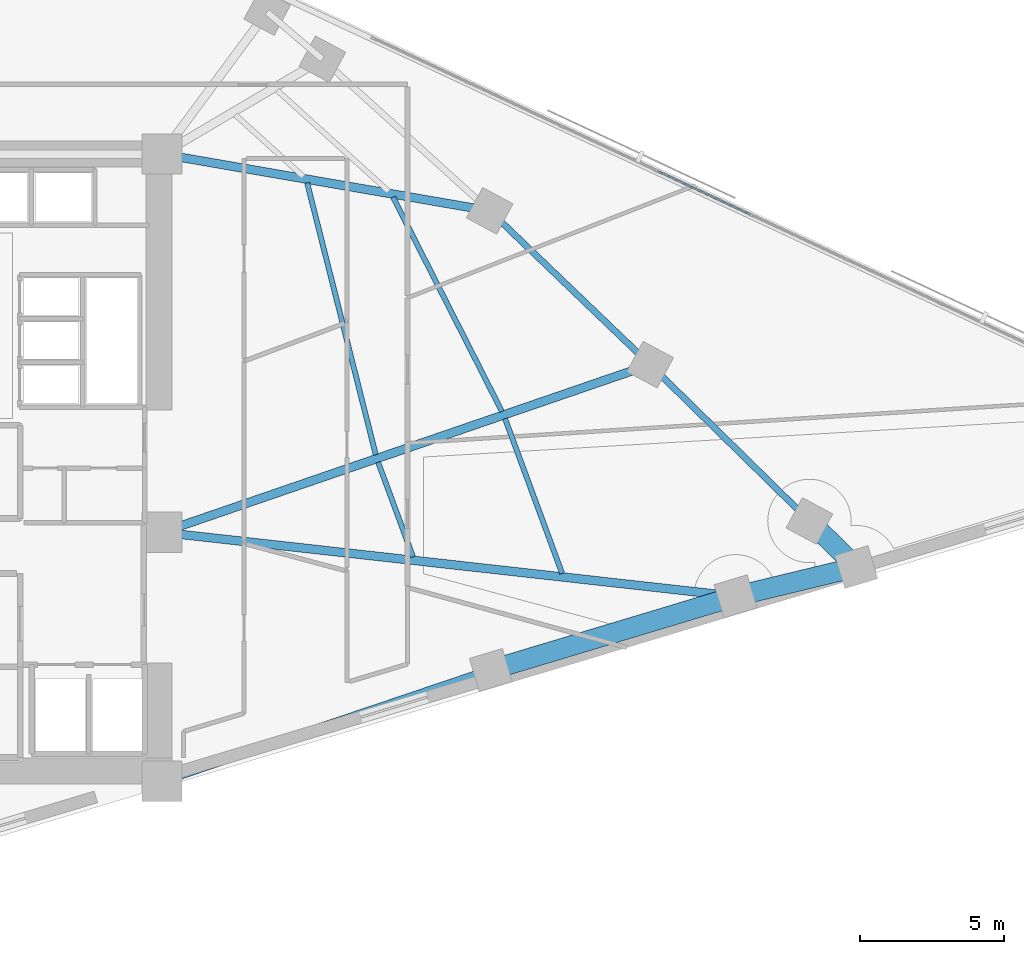
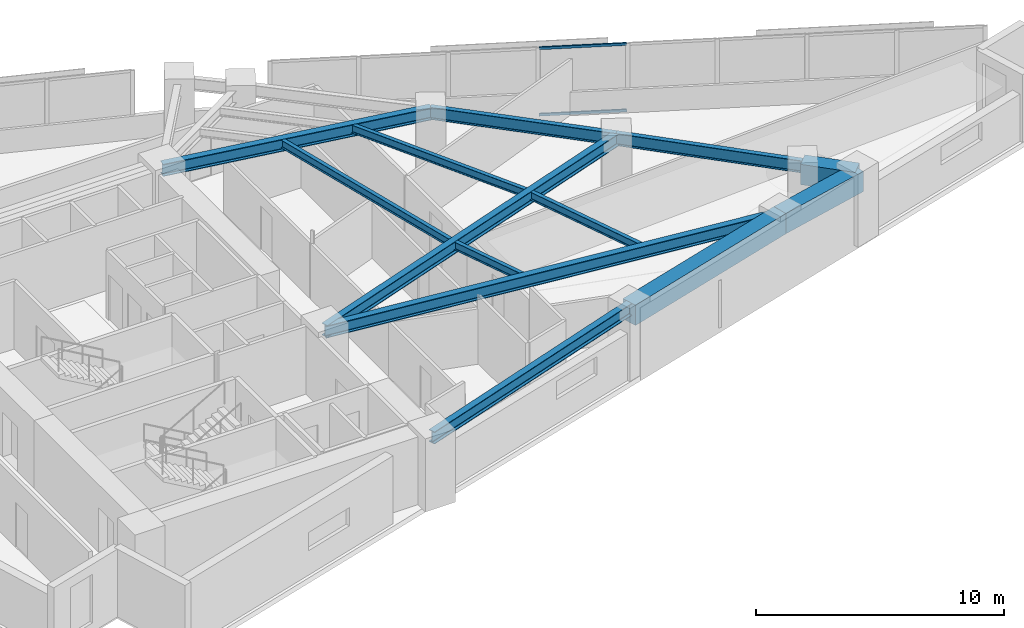
# One storey, part 3 of 17: 13 beams, 2 members, 1 element without a shape of its own.
"""IFC4 building model written with IfcOpenShell, lengths in metres."""

from ifc_helpers import new_model, si_unit, direction, frame, origin, origin_2d, place, context, subcontext, project, spatial, rectangle, hollow_rectangle, i_section, extrude, material, material_profile, profile_set, type_object, element, aggregate, save


model = new_model("IFC4")

# Units and contexts
model_context = context("Model", 3, precision=1e-05, world=origin(), true_north=direction((0.0, 1.0)))
body_context = subcontext(model_context, "Body", "Model", "MODEL_VIEW")
ifc_project = project(units=[si_unit("LENGTHUNIT", "METRE"), si_unit("AREAUNIT", "SQUARE_METRE"), si_unit("VOLUMEUNIT", "CUBIC_METRE"), si_unit("PLANEANGLEUNIT", "RADIAN"), si_unit("MASSUNIT", "GRAM", prefix="KILO")], contexts=[model_context])

# Site, building, storey
site_placement = place(None, origin())
site = spatial("IfcSite", under=ifc_project, at=site_placement, CompositionType="ELEMENT")
building_placement = place(site_placement, origin())
building = spatial("IfcBuilding", under=site, at=building_placement, Name="Narakoshi Arena Tower", CompositionType="ELEMENT")
storey_placement = place(building_placement, frame((0.0, 0.0, 139.5)))
storey = spatial("IfcBuildingStorey", under=building, at=storey_placement, Name="L37", CompositionType="ELEMENT", Elevation=139.5)

# Beams
ifc_material_1 = material(Name="Concrete C60/75", Category="concrete")
ifc_material_profile_1 = material_profile(ifc_material_1, rectangle(XDim=0.699951171875, YDim=1.0, at=origin_2d()), Name="RCB700x1000")
ifc_profile_set_1 = profile_set([ifc_material_profile_1], Name="Concrete C60/75")
beam_type_1 = type_object("IfcBeamType", Name="BM-CPL-1000", PredefinedType="BEAM", material=ifc_profile_set_1)
beam_1_placement = place(storey_placement, frame((96.984619140625, 38.565185546875, 2.840087890625), z_axis=(0.957568042752, 0.288207292585, 0.0), x_axis=(-0.288207292585, 0.957568042752, 0.0)))
element("IfcBeam", 1, at=beam_1_placement, inside=storey, type_object=beam_type_1, Name="L37 Perimeter Edge Girder 01", PredefinedType="BEAM", context=body_context, shape_type="SweptSolid", body=[
    extrude(rectangle(XDim=0.699951171875, YDim=1.0, at=origin_2d()), origin(), (0.0, 0.0, 1.0), 8.885986328125),
])
beam_2_placement = place(storey_placement, frame((105.49365234375, 41.126220703125, 2.840087890625), z_axis=(0.97211420724, 0.234507927545, 0.0), x_axis=(-0.234507927545, 0.97211420724, 0.0)))
element("IfcBeam", 2, at=beam_2_placement, inside=storey, type_object=beam_type_1, Name="L37 Perimeter Edge Girder 02", PredefinedType="BEAM", context=body_context, shape_type="SweptSolid", body=[
    extrude(rectangle(XDim=0.699951171875, YDim=1.0, at=origin_2d()), origin(), (0.0, 0.0, 1.0), 4.3193359375),
])
beam_3_placement = place(storey_placement, frame((109.692626953125, 42.13916015625, 2.840087890625), z_axis=(-0.71252416991, 0.701647566299, 0.0), x_axis=(-0.701647566299, -0.71252416991, 0.0)))
element("IfcBeam", 3, at=beam_3_placement, inside=storey, type_object=beam_type_1, Name="L37 Perimeter Edge Girder 03", PredefinedType="BEAM", context=body_context, shape_type="SweptSolid", body=[
    extrude(rectangle(XDim=0.699951171875, YDim=1.0, at=origin_2d()), origin(), (0.0, 0.0, 1.0), 2.28955078125),
])
ifc_material_2 = material(Name="Structural steel S355J2", Category="steel")
ifc_material_profile_2 = material_profile(ifc_material_2, i_section(OverallWidth=0.219970703125, OverallDepth=0.60009765625, WebThickness=0.011962890625, FlangeThickness=0.01904296875, FilletRadius=0.02392578125, at=origin_2d()), Name="IPE600")
ifc_profile_set_2 = profile_set([ifc_material_profile_2], Name="Structural steel S355J2")
beam_type_2 = type_object("IfcBeamType", Name="BM-EDGE-600", PredefinedType="BEAM", material=ifc_profile_set_2)
beam_4_placement = place(storey_placement, frame((108.061279296875, 43.74560546875, 3.0400390625), z_axis=(-0.713870487965, 0.700277749477, 0.0), x_axis=(-0.700277749477, -0.713870487965, 0.0)))
element("IfcBeam", 4, at=beam_4_placement, inside=storey, type_object=beam_type_2, Name="L37 Perimeter Edge Girder 04", PredefinedType="BEAM", context=body_context, shape_type="SweptSolid", body=[
    extrude(i_section(OverallWidth=0.219970703125, OverallDepth=0.60009765625, WebThickness=0.011962890625, FlangeThickness=0.01904296875, FilletRadius=0.02392578125, at=origin_2d()), origin(), (0.0, 0.0, 1.0), 7.75927734375),
])
beam_5_placement = place(storey_placement, frame((102.522216796875, 49.17919921875, 3.0400390625), z_axis=(-0.721767886663, 0.692135187504, 0.0), x_axis=(-0.692135187504, -0.721767886663, 0.0)))
element("IfcBeam", 5, at=beam_5_placement, inside=storey, type_object=beam_type_2, Name="L37 Perimeter Edge Girder 05", PredefinedType="BEAM", context=body_context, shape_type="SweptSolid", body=[
    extrude(i_section(OverallWidth=0.219970703125, OverallDepth=0.60009765625, WebThickness=0.011962890625, FlangeThickness=0.01904296875, FilletRadius=0.02392578125, at=origin_2d()), origin(), (0.0, 0.0, 1.0), 7.72802734375),
])
ifc_material_profile_3 = material_profile(ifc_material_2, i_section(OverallWidth=0.300048828125, OverallDepth=0.60009765625, WebThickness=0.015380859375, FlangeThickness=0.030029296875, FilletRadius=0.027099609375, at=origin_2d()), Name="HE600B")
ifc_profile_set_3 = profile_set([ifc_material_profile_3], Name="Structural steel S355J2")
beam_type_3 = type_object("IfcBeamType", Name="BM-PRI-600", PredefinedType="BEAM", material=ifc_profile_set_3)
beam_6_placement = place(storey_placement, frame((85.550048828125, 34.699951171875, 3.0400390625), z_axis=(0.947339879376, 0.32022984393, 0.0), x_axis=(-0.32022984393, 0.947339879376, 0.0)))
element("IfcBeam", 6, at=beam_6_placement, inside=storey, type_object=beam_type_3, Name="L37 Radial Primary Floor Girder 01", PredefinedType="BEAM", context=body_context, shape_type="SweptSolid", body=[
    extrude(i_section(OverallWidth=0.300048828125, OverallDepth=0.60009765625, WebThickness=0.015380859375, FlangeThickness=0.030029296875, FilletRadius=0.027099609375, at=origin_2d()), origin(), (0.0, 0.0, 1.0), 12.070068359375),
])
beam_7_placement = place(storey_placement, frame((85.550048828125, 43.35009765625, 3.0400390625), z_axis=(0.99384033484, -0.110821427733, 0.0), x_axis=(0.110821427733, 0.99384033484, 0.0)))
element("IfcBeam", 7, at=beam_7_placement, inside=storey, type_object=beam_type_3, Name="L37 Radial Primary Floor Girder 02", PredefinedType="BEAM", context=body_context, shape_type="SweptSolid", body=[
    extrude(i_section(OverallWidth=0.300048828125, OverallDepth=0.60009765625, WebThickness=0.015380859375, FlangeThickness=0.030029296875, FilletRadius=0.027099609375, at=origin_2d()), origin(), (0.0, 0.0, 1.0), 20.067138671875),
])
beam_8_placement = place(storey_placement, frame((85.550048828125, 43.35009765625, 3.0400390625), z_axis=(0.945773611909, 0.324826530653, 0.0), x_axis=(-0.324826530653, 0.945773611909, 0.0)))
element("IfcBeam", 8, at=beam_8_placement, inside=storey, type_object=beam_type_3, Name="L37 Radial Primary Floor Girder 05", PredefinedType="BEAM", context=body_context, shape_type="SweptSolid", body=[
    extrude(i_section(OverallWidth=0.300048828125, OverallDepth=0.60009765625, WebThickness=0.015380859375, FlangeThickness=0.030029296875, FilletRadius=0.027099609375, at=origin_2d()), origin(), (0.0, 0.0, 1.0), 17.9453125),
])
beam_9_placement = place(storey_placement, frame((85.550048828125, 56.5, 3.0400390625), z_axis=(0.985352893735, -0.170527636492, 0.0), x_axis=(0.170527636492, 0.985352893735, 0.0)))
element("IfcBeam", 9, at=beam_9_placement, inside=storey, type_object=beam_type_3, Name="L37 Radial Primary Floor Girder 06", PredefinedType="BEAM", context=body_context, shape_type="SweptSolid", body=[
    extrude(i_section(OverallWidth=0.300048828125, OverallDepth=0.60009765625, WebThickness=0.015380859375, FlangeThickness=0.030029296875, FilletRadius=0.027099609375, at=origin_2d()), origin(), (0.0, 0.0, 1.0), 11.563720703125),
])
ifc_material_profile_4 = material_profile(ifc_material_2, i_section(OverallWidth=0.179931640625, OverallDepth=0.39990234375, WebThickness=0.008544921875, FlangeThickness=0.013427734375, FilletRadius=0.02099609375, at=origin_2d()), Name="IPE400")
ifc_profile_set_4 = profile_set([ifc_material_profile_4], Name="Structural steel S355J2")
beam_type_4 = type_object("IfcBeamType", Name="BM-SEC-400", PredefinedType="JOIST", material=ifc_profile_set_4)
beam_10_placement = place(storey_placement, frame((94.278564453125, 42.498046875, 3.139892578125), z_axis=(-0.346205363588, 0.938158753209, 0.0), x_axis=(-0.938158753209, -0.346205363588, 0.0)))
element("IfcBeam", 10, at=beam_10_placement, inside=storey, type_object=beam_type_4, Name="L37 Composite Secondary Floor Joist 01", PredefinedType="JOIST", context=body_context, shape_type="SweptSolid", body=[
    extrude(i_section(OverallWidth=0.179931640625, OverallDepth=0.39990234375, WebThickness=0.008544921875, FlangeThickness=0.013427734375, FilletRadius=0.02099609375, at=origin_2d()), origin(), (0.0, 0.0, 1.0), 3.5068359375),
])
beam_11_placement = place(storey_placement, frame((99.4638671875, 41.919921875, 3.139892578125), z_axis=(-0.346162694079, 0.938174498283, 0.0), x_axis=(-0.938174498283, -0.346162694079, 0.0)))
element("IfcBeam", 11, at=beam_11_placement, inside=storey, type_object=beam_type_4, Name="L37 Composite Secondary Floor Joist 02", PredefinedType="JOIST", context=body_context, shape_type="SweptSolid", body=[
    extrude(i_section(OverallWidth=0.179931640625, OverallDepth=0.39990234375, WebThickness=0.008544921875, FlangeThickness=0.013427734375, FilletRadius=0.02099609375, at=origin_2d()), origin(), (0.0, 0.0, 1.0), 5.73876953125),
])
beam_12_placement = place(storey_placement, frame((92.984619140625, 46.0458984375, 3.139892578125), z_axis=(-0.244855712668, 0.969559528845, 0.0), x_axis=(-0.969559528845, -0.244855712668, 0.0)))
element("IfcBeam", 12, at=beam_12_placement, inside=storey, type_object=beam_type_4, Name="L37 Composite Secondary Floor Joist 03", PredefinedType="JOIST", context=body_context, shape_type="SweptSolid", body=[
    extrude(i_section(OverallWidth=0.179931640625, OverallDepth=0.39990234375, WebThickness=0.008544921875, FlangeThickness=0.013427734375, FilletRadius=0.02099609375, at=origin_2d()), origin(), (0.0, 0.0, 1.0), 9.75244140625),
])
beam_13_placement = place(storey_placement, frame((97.369384765625, 47.55078125, 3.139892578125), z_axis=(-0.452757777171, 0.891633554332, 0.0), x_axis=(-0.891633554332, -0.452757777171, 0.0)))
element("IfcBeam", 13, at=beam_13_placement, inside=storey, type_object=beam_type_4, Name="L37 Composite Secondary Floor Joist 04", PredefinedType="JOIST", context=body_context, shape_type="SweptSolid", body=[
    extrude(i_section(OverallWidth=0.179931640625, OverallDepth=0.39990234375, WebThickness=0.008544921875, FlangeThickness=0.013427734375, FilletRadius=0.02099609375, at=origin_2d()), origin(), (0.0, 0.0, 1.0), 8.353759765625),
])

# Curtain wall, members
ifc_material_3 = material(Name="Anodised bronze aluminium 6063-T6", Category="aluminium")
curtain_wall_type = type_object("IfcCurtainWallType", Name="CW-HYP-MID", PredefinedType="NOTDEFINED", material=ifc_material_3)
curtain_wall_placement = place(storey_placement, origin())
curtain_wall = element("IfcCurtainWall", 14, at=curtain_wall_placement, inside=storey, type_object=curtain_wall_type, Name="L37 Folded Hypotenuse Curtain Wall 1-1", PredefinedType="NOTDEFINED")
ifc_material_profile_5 = material_profile(ifc_material_3, hollow_rectangle(XDim=0.06494140625, YDim=0.1298828125, WallThickness=0.00390625, OuterFilletRadius=0.0048828125, at=origin_2d()), Name="TRN130x65x4")
ifc_profile_set_5 = profile_set([ifc_material_profile_5], Name="Anodised bronze aluminium 6063-T6")
member_type = type_object("IfcMemberType", Name="MEM-TRN-130", PredefinedType="USERDEFINED", material=ifc_profile_set_5)
member_1_placement = place(storey_placement, frame((106.008056640625, 54.39404296875, 0.032470703125), z_axis=(-0.905863892755, 0.42356889381, 0.0), x_axis=(-0.42356889381, -0.905863892755, 0.0)))
member_1 = element("IfcMember", 15, at=member_1_placement, type_object=member_type, Name="CW-02 transom 5.1", ObjectType="TRANSOM", PredefinedType="USERDEFINED", context=body_context, shape_type="SweptSolid", body=[
    extrude(hollow_rectangle(XDim=0.06494140625, YDim=0.1298828125, WallThickness=0.00390625, OuterFilletRadius=0.0048828125, at=origin_2d()), origin(), (0.0, 0.0, 1.0), 3.55859375),
])
member_2_placement = place(storey_placement, frame((106.008056640625, 54.39404296875, 3.3076171875), z_axis=(-0.905863892755, 0.42356889381, 0.0), x_axis=(-0.42356889381, -0.905863892755, 0.0)))
member_2 = element("IfcMember", 16, at=member_2_placement, type_object=member_type, Name="CW-02 transom 5.2", ObjectType="TRANSOM", PredefinedType="USERDEFINED", context=body_context, shape_type="SweptSolid", body=[
    extrude(hollow_rectangle(XDim=0.06494140625, YDim=0.1298828125, WallThickness=0.00390625, OuterFilletRadius=0.0048828125, at=origin_2d()), origin(), (0.0, 0.0, 1.0), 3.55859375),
])
aggregate(curtain_wall, [member_1, member_2])

save(model, "model.ifc")
